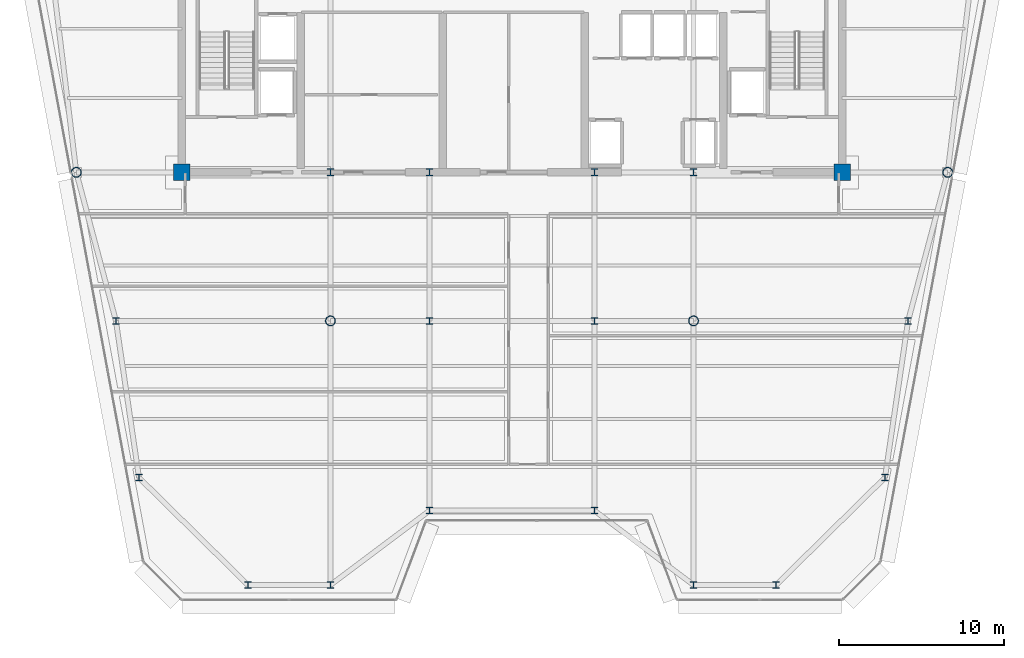
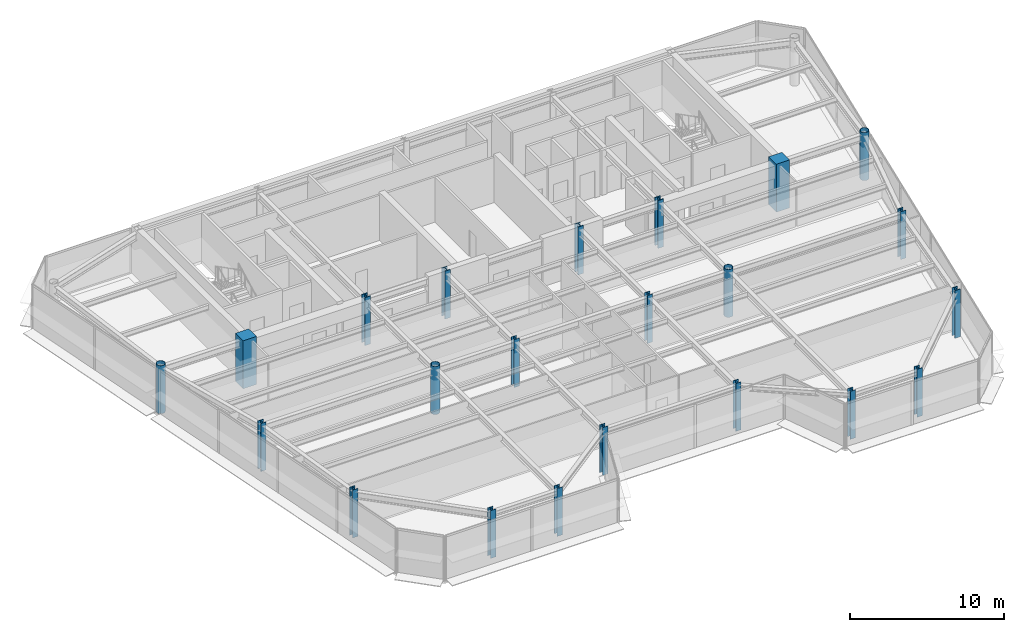
# One storey, part 1 of 18: 22 columns.
"""IFC4 building model written with IfcOpenShell, lengths in metres."""

from ifc_helpers import new_model, si_unit, direction, frame, origin, origin_2d, place, context, subcontext, project, spatial, rectangle, hollow_circle, i_section, extrude, source, transform, mapped, material, material_profile, profile_set, type_object, element, save


model = new_model("IFC4")

# Units and contexts
model_context = context("Model", 3, precision=1e-05, world=origin(), true_north=direction((0.0, 1.0)))
body_context = subcontext(model_context, "Body", "Model", "MODEL_VIEW")
ifc_project = project(units=[si_unit("LENGTHUNIT", "METRE"), si_unit("AREAUNIT", "SQUARE_METRE"), si_unit("VOLUMEUNIT", "CUBIC_METRE"), si_unit("PLANEANGLEUNIT", "RADIAN"), si_unit("MASSUNIT", "GRAM", prefix="KILO")], contexts=[model_context])

# Site, building, storey
site_placement = place(None, origin())
site = spatial("IfcSite", under=ifc_project, at=site_placement, CompositionType="ELEMENT")
building_placement = place(site_placement, origin())
building = spatial("IfcBuilding", under=site, at=building_placement, Name="Vaeldorn Concourse Tower", CompositionType="ELEMENT")
storey_placement = place(building_placement, frame((0.0, 0.0, 257.39990234375)))
storey = spatial("IfcBuildingStorey", under=building, at=storey_placement, Name="L66", CompositionType="ELEMENT", Elevation=257.39990234375)

# Columns
ifc_material_1 = material(Name="Concrete C50/60", Category="concrete")
ifc_material_profile_1 = material_profile(ifc_material_1, rectangle(XDim=1.0, YDim=1.0, at=origin_2d()), Name="RC 1000x1000")
ifc_profile_set_1 = profile_set([ifc_material_profile_1], Name="Concrete C50/60")
column_type_1 = type_object("IfcColumnType", Name="COL-RC1000", PredefinedType="COLUMN", material=ifc_profile_set_1)
shared_shape_1 = source(origin(), body_context, "Body", "SweptSolid", [
    extrude(rectangle(XDim=1.0, YDim=1.0, at=origin_2d()), origin(), (0.0, 0.0, 1.0), 3.800048828125),
])
for number, where, z_axis, x_axis, name in (
    (1, (14.0, 36.5, 0.0), (0.0, 0.0, 1.0), (1.0, 0.0, 0.0), "Column C-FC1 L66"),
    (2, (54.0, 36.5, 0.0), (0.0, 0.0, 1.0), (1.0, 0.0, 0.0), "Column C-FC6 L66"),
):
    element("IfcColumn", number, at=place(storey_placement, frame(where, z_axis=z_axis, x_axis=x_axis)), inside=storey, type_object=column_type_1, Name=name, PredefinedType="COLUMN", context=body_context, shape_type="MappedRepresentation", body=[
        mapped(shared_shape_1, transform((0.0, 0.0, 0.0), scale=1.0)),
    ])
ifc_material_2 = material(Name="Steel S460", Category="steel")
ifc_material_profile_2 = material_profile(ifc_material_2, i_section(OverallWidth=0.41796875, OverallDepth=0.455078125, WebThickness=0.0419921875, FlangeThickness=0.05810546875, FilletRadius=0.014892578125, at=origin_2d()), Name="HD 400x551")
ifc_profile_set_2 = profile_set([ifc_material_profile_2], Name="Steel S460")
column_type_2 = type_object("IfcColumnType", Name="COL-HD551", PredefinedType="COLUMN", material=ifc_profile_set_2)
shared_shape_2 = source(origin(), body_context, "Body", "SweptSolid", [
    extrude(i_section(OverallWidth=0.41796875, OverallDepth=0.455078125, WebThickness=0.0419921875, FlangeThickness=0.05810546875, FilletRadius=0.014892578125, at=origin_2d()), origin(), (0.0, 0.0, 1.0), 3.800048828125),
])
for number, where, z_axis, x_axis, name in (
    (3, (23.0, 36.5, 0.0), (0.0, 0.0, 1.0), (1.0, 0.0, 0.0), "Column C-FC2 L66"),
    (4, (29.0, 36.5, 0.0), (0.0, 0.0, 1.0), (1.0, 0.0, 0.0), "Column C-FC3 L66"),
    (5, (39.0, 36.5, 0.0), (0.0, 0.0, 1.0), (1.0, 0.0, 0.0), "Column C-FC4 L66"),
    (6, (45.0, 36.5, 0.0), (0.0, 0.0, 1.0), (1.0, 0.0, 0.0), "Column C-FC5 L66"),
):
    element("IfcColumn", number, at=place(storey_placement, frame(where, z_axis=z_axis, x_axis=x_axis)), inside=storey, type_object=column_type_2, Name=name, PredefinedType="COLUMN", context=body_context, shape_type="MappedRepresentation", body=[
        mapped(shared_shape_2, transform((0.0, 0.0, 0.0), scale=1.0)),
    ])
ifc_material_3 = material(Name="Steel S355", Category="steel")
ifc_material_profile_3 = material_profile(ifc_material_3, hollow_circle(Radius=0.304931640625, WallThickness=0.030029296875, at=origin_2d()), Name="CHS 610x30")
ifc_profile_set_3 = profile_set([ifc_material_profile_3], Name="Steel S355")
column_type_3 = type_object("IfcColumnType", Name="COL-CHS610", PredefinedType="COLUMN", material=ifc_profile_set_3)
shared_shape_3 = source(origin(), body_context, "Body", "SweptSolid", [
    extrude(hollow_circle(Radius=0.304931640625, WallThickness=0.030029296875, at=origin_2d()), origin(), (0.0, 0.0, 1.0), 3.800048828125),
])
for number, where, z_axis, x_axis, name in (
    (7, (7.60009765625, 36.5, 0.0), (0.0, 0.0, 1.0), (1.0, 0.0, 0.0), "Column C-NW2 L66"),
    (8, (60.39990234375, 36.5, 0.0), (0.0, 0.0, 1.0), (1.0, 0.0, 0.0), "Column C-NE2 L66"),
    (9, (23.0, 27.5, 0.0), (0.0, 0.0, 1.0), (1.0, 0.0, 0.0), "Column C-TW1 L66"),
    (10, (45.0, 27.5, 0.0), (0.0, 0.0, 1.0), (1.0, 0.0, 0.0), "Column C-TW4 L66"),
):
    element("IfcColumn", number, at=place(storey_placement, frame(where, z_axis=z_axis, x_axis=x_axis)), inside=storey, type_object=column_type_3, Name=name, PredefinedType="COLUMN", context=body_context, shape_type="MappedRepresentation", body=[
        mapped(shared_shape_3, transform((0.0, 0.0, 0.0), scale=1.0)),
    ])
ifc_material_profile_4 = material_profile(ifc_material_3, i_section(OverallWidth=0.40087890625, OverallDepth=0.39892578125, WebThickness=0.02490234375, FlangeThickness=0.034912109375, FilletRadius=0.014892578125, at=origin_2d()), Name="HD 400x314")
ifc_profile_set_4 = profile_set([ifc_material_profile_4], Name="Steel S355")
column_type_4 = type_object("IfcColumnType", Name="COL-HD314F", PredefinedType="COLUMN", material=ifc_profile_set_4)
shared_shape_4 = source(origin(), body_context, "Body", "SweptSolid", [
    extrude(i_section(OverallWidth=0.40087890625, OverallDepth=0.39892578125, WebThickness=0.02490234375, FlangeThickness=0.034912109375, FilletRadius=0.014892578125, at=origin_2d()), origin(), (0.0, 0.0, 1.0), 3.800048828125),
])
for number, where, z_axis, x_axis, name in (
    (11, (10.0, 27.5, 0.0), (0.0, 0.0, 1.0), (1.0, 0.0, 0.0), "Column C-FLW1 L66"),
    (12, (11.39990234375, 18.0, 0.0), (0.0, 0.0, 1.0), (1.0, 0.0, 0.0), "Column C-FLW2 L66"),
    (13, (58.0, 27.5, 0.0), (0.0, 0.0, 1.0), (1.0, 0.0, 0.0), "Column C-FLE1 L66"),
    (14, (56.60009765625, 18.0, 0.0), (0.0, 0.0, 1.0), (1.0, 0.0, 0.0), "Column C-FLE2 L66"),
):
    element("IfcColumn", number, at=place(storey_placement, frame(where, z_axis=z_axis, x_axis=x_axis)), inside=storey, type_object=column_type_4, Name=name, PredefinedType="COLUMN", context=body_context, shape_type="MappedRepresentation", body=[
        mapped(shared_shape_4, transform((0.0, 0.0, 0.0), scale=1.0)),
    ])
ifc_material_profile_5 = material_profile(ifc_material_3, i_section(OverallWidth=0.39794921875, OverallDepth=0.386962890625, WebThickness=0.0205078125, FlangeThickness=0.029052734375, FilletRadius=0.014892578125, at=origin_2d()), Name="HD 400x262")
ifc_profile_set_5 = profile_set([ifc_material_profile_5], Name="Steel S355")
column_type_5 = type_object("IfcColumnType", Name="COL-HD262T", PredefinedType="COLUMN", material=ifc_profile_set_5)
shared_shape_5 = source(origin(), body_context, "Body", "SweptSolid", [
    extrude(i_section(OverallWidth=0.39794921875, OverallDepth=0.386962890625, WebThickness=0.0205078125, FlangeThickness=0.029052734375, FilletRadius=0.014892578125, at=origin_2d()), origin(), (0.0, 0.0, 1.0), 3.800048828125),
])
for number, where, z_axis, x_axis, name in (
    (15, (29.0, 27.5, 0.0), (0.0, 0.0, 1.0), (1.0, 0.0, 0.0), "Column C-TW2 L66"),
    (16, (39.0, 27.5, 0.0), (0.0, 0.0, 1.0), (1.0, 0.0, 0.0), "Column C-TW3 L66"),
    (17, (18.0, 11.5, 0.0), (0.0, 0.0, 1.0), (1.0, 0.0, 0.0), "Column C-SF1 L66"),
    (18, (23.0, 11.5, 0.0), (0.0, 0.0, 1.0), (1.0, 0.0, 0.0), "Column C-SF2 L66"),
    (19, (29.0, 16.0, 0.0), (0.0, 0.0, 1.0), (1.0, 0.0, 0.0), "Column C-SF3 L66"),
    (20, (39.0, 16.0, 0.0), (0.0, 0.0, 1.0), (1.0, 0.0, 0.0), "Column C-SF4 L66"),
    (21, (45.0, 11.5, 0.0), (0.0, 0.0, 1.0), (1.0, 0.0, 0.0), "Column C-SF5 L66"),
    (22, (50.0, 11.5, 0.0), (0.0, 0.0, 1.0), (1.0, 0.0, 0.0), "Column C-SF6 L66"),
):
    element("IfcColumn", number, at=place(storey_placement, frame(where, z_axis=z_axis, x_axis=x_axis)), inside=storey, type_object=column_type_5, Name=name, PredefinedType="COLUMN", context=body_context, shape_type="MappedRepresentation", body=[
        mapped(shared_shape_5, transform((0.0, 0.0, 0.0), scale=1.0)),
    ])

save(model, "model.ifc")
